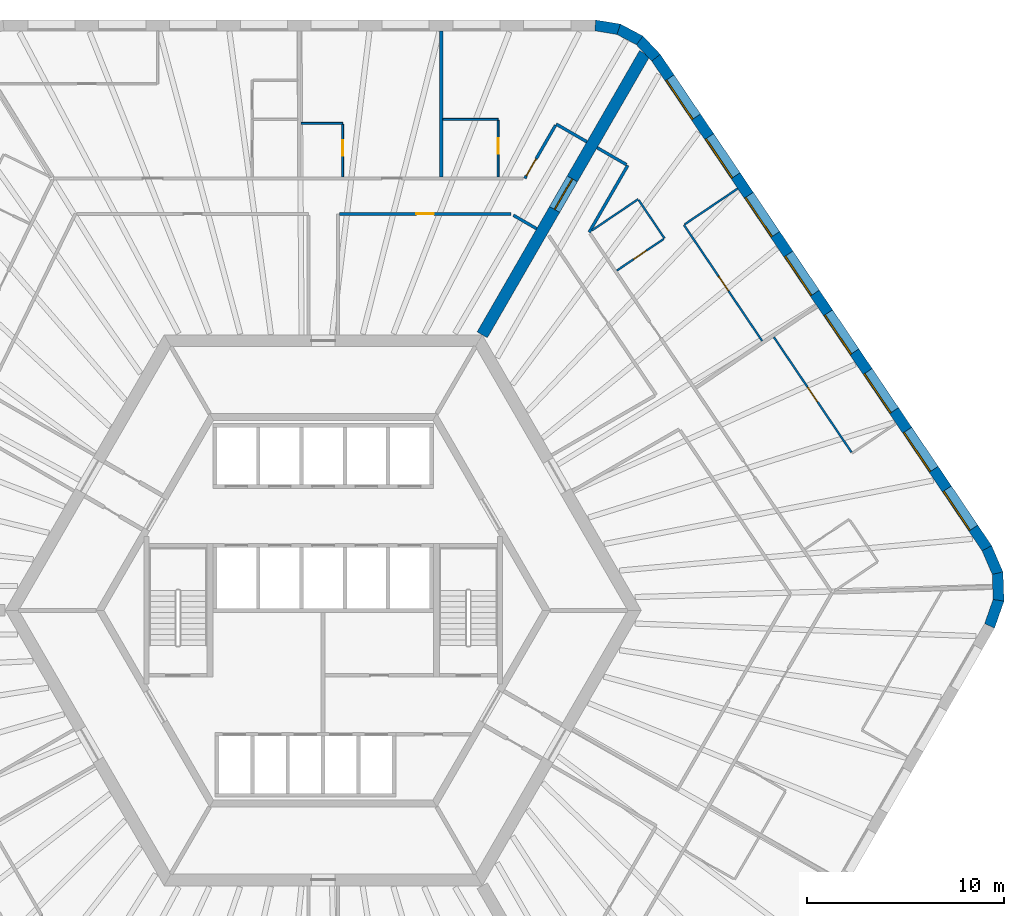
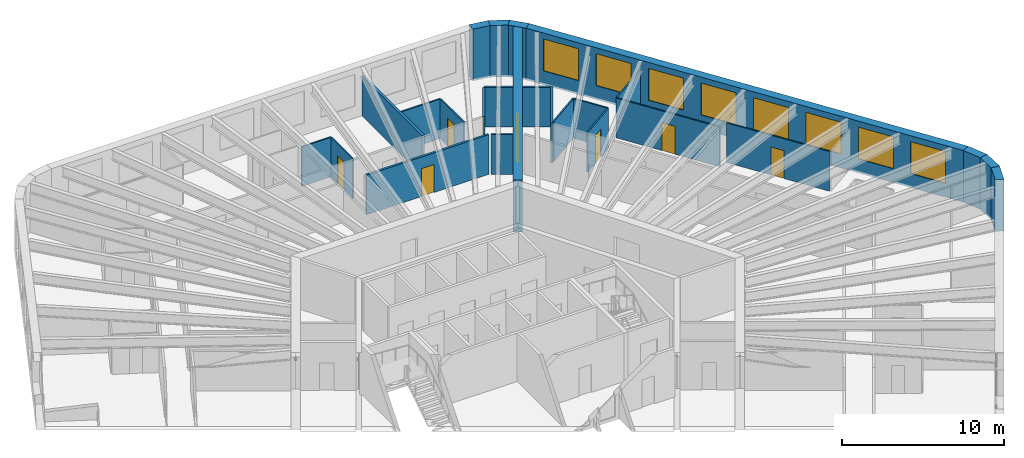
# One storey, part 10 of 12: 25 walls, 8 doors, 8 windows, 16 openings.
"""IFC4 building model written with IfcOpenShell, lengths in metres."""

from ifc_helpers import new_model, si_unit, direction, frame, frame_2d, origin, place, context, subcontext, project, spatial, polyline, rectangle, outline, extrude, material, layer, layer_set, type_object, element, fill, save


model = new_model("IFC4")

# Units and contexts
model_context = context("Model", 3, precision=1e-05, world=origin(), true_north=direction((0.0, 1.0)))
body_context = subcontext(model_context, "Body", "Model", "MODEL_VIEW")
ifc_project = project(units=[si_unit("LENGTHUNIT", "METRE"), si_unit("AREAUNIT", "SQUARE_METRE"), si_unit("VOLUMEUNIT", "CUBIC_METRE"), si_unit("PLANEANGLEUNIT", "RADIAN"), si_unit("MASSUNIT", "GRAM", prefix="KILO")], contexts=[model_context])

# Site, building, storey
site_placement = place(None, origin())
site = spatial("IfcSite", under=ifc_project, at=site_placement, CompositionType="ELEMENT")
building_placement = place(site_placement, origin())
building = spatial("IfcBuilding", under=site, at=building_placement, Name="Tarnside Tower", CompositionType="ELEMENT")
storey_placement = place(building_placement, frame((0.0, 0.0, 115.5)))
storey = spatial("IfcBuildingStorey", under=building, at=storey_placement, Name="L26", CompositionType="ELEMENT", Elevation=115.5)

# Wall
ifc_material_1 = material(Name="Gypsum board partition on steel studs", Category="steel")
ifc_layer_1 = layer(ifc_material_1, 0.10009765625)
ifc_layer_set_1 = layer_set([ifc_layer_1], Name="Bathroom wall 100")
wall_type_1 = type_object("IfcWallType", Name="Bathroom wall 100", PredefinedType="PARTITIONING", material=ifc_layer_set_1)
wall_1_placement = place(storey_placement, frame((6.078857421875, 24.949951171875, 0.0), z_axis=(0.0, 0.0, 1.0), x_axis=(1.0, 0.0, 0.0)))
element("IfcWall", 1, at=wall_1_placement, inside=storey, type_object=wall_type_1, Name="Bathroom wall 08071", PredefinedType="PARTITIONING", context=body_context, shape_type="SweptSolid", body=[
    extrude(rectangle(XDim=2.81005859375, YDim=0.10009765625, at=frame_2d((1.405029296875, 0.0))), origin(), (0.0, 0.0, 1.0), 2.98779296875),
])

# Wall, opening, door
wall_2_placement = place(storey_placement, frame((8.888916015625, 24.89990234375, 0.0), z_axis=(0.0, 0.0, 1.0), x_axis=(0.0, -1.0, 0.0)))
wall_2 = element("IfcWall", 2, at=wall_2_placement, inside=storey, type_object=wall_type_1, Name="Bathroom wall 08072", PredefinedType="PARTITIONING", context=body_context, shape_type="SweptSolid", body=[
    extrude(rectangle(XDim=2.875, YDim=0.10009765625, at=frame_2d((1.4375, 0.0))), origin(), (0.0, 0.0, 1.0), 2.98779296875),
])
opening_1_placement = place(wall_2_placement, frame((0.89990234375, 0.0, 0.0)))
opening_1 = element("IfcOpeningElement", 3, at=opening_1_placement, cuts=wall_2, Name="Opening D-B1", PredefinedType="OPENING", context=body_context, shape_type="SweptSolid", body=[
    extrude(rectangle(XDim=0.800048828125, YDim=2.10009765625, at=frame_2d((0.39990234375, 1.050048828125))), frame((0.0, 0.06005859375, 0.0), z_axis=(0.0, -1.0, 0.0), x_axis=(1.0, 0.0, 0.0)), (0.0, 0.0, 1.0), 0.1201171875),
])
ifc_material_2 = material(Name="Timber door leaf", Category="wood")
door_type_1 = type_object("IfcDoorType", Name="Bathroom door 800", OperationType="NOTDEFINED", PredefinedType="DOOR", material=ifc_material_2)
door_1_placement = place(opening_1_placement, origin())
door_1 = element("IfcDoor", 4, at=door_1_placement, inside=storey, type_object=door_type_1, Name="Bathroom door 08002", OperationType="SINGLE_SWING_RIGHT", OverallHeight=2.10009765625, OverallWidth=0.800048828125, PredefinedType="DOOR", context=body_context, shape_type="SweptSolid", body=[
    extrude(rectangle(XDim=0.800048828125, YDim=2.10009765625, at=frame_2d((0.39990234375, 1.050048828125))), frame((0.0, 0.02490234375, 0.0), z_axis=(0.0, -1.0, 0.0), x_axis=(1.0, 0.0, 0.0)), (0.0, 0.0, 1.0), 0.050048828125),
])
fill(opening_1, door_1)

# Wall
wall_3_placement = place(storey_placement, frame((-1.12109375, 24.75, 0.0), z_axis=(0.0, 0.0, 1.0), x_axis=(1.0, 0.0, 0.0)))
element("IfcWall", 5, at=wall_3_placement, inside=storey, type_object=wall_type_1, Name="Bathroom wall 08075", PredefinedType="PARTITIONING", context=body_context, shape_type="SweptSolid", body=[
    extrude(rectangle(XDim=2.110107421875, YDim=0.10009765625, at=frame_2d((1.05517578125, 0.0))), origin(), (0.0, 0.0, 1.0), 2.98779296875),
])

# Wall, opening, door
wall_4_placement = place(storey_placement, frame((0.989013671875, 24.699951171875, 0.0), z_axis=(0.0, 0.0, 1.0), x_axis=(0.0, -1.0, 0.0)))
wall_4 = element("IfcWall", 6, at=wall_4_placement, inside=storey, type_object=wall_type_1, Name="Bathroom wall 08076", PredefinedType="PARTITIONING", context=body_context, shape_type="SweptSolid", body=[
    extrude(rectangle(XDim=2.675048828125, YDim=0.10009765625, at=frame_2d((1.33740234375, 0.0))), origin(), (0.0, 0.0, 1.0), 2.98779296875),
])
opening_2_placement = place(wall_4_placement, frame((0.81005859375, 0.0, 0.0)))
opening_2 = element("IfcOpeningElement", 7, at=opening_2_placement, cuts=wall_4, Name="Opening D-B1", PredefinedType="OPENING", context=body_context, shape_type="SweptSolid", body=[
    extrude(rectangle(XDim=0.800048828125, YDim=2.10009765625, at=frame_2d((0.39990234375, 1.050048828125))), frame((0.0, 0.06005859375, 0.0), z_axis=(0.0, -1.0, 0.0), x_axis=(1.0, 0.0, 0.0)), (0.0, 0.0, 1.0), 0.1201171875),
])
door_2_placement = place(opening_2_placement, origin())
door_2 = element("IfcDoor", 8, at=door_2_placement, inside=storey, type_object=door_type_1, Name="Bathroom door 08004", OperationType="SINGLE_SWING_RIGHT", OverallHeight=2.10009765625, OverallWidth=0.800048828125, PredefinedType="DOOR", context=body_context, shape_type="SweptSolid", body=[
    extrude(rectangle(XDim=0.800048828125, YDim=2.10009765625, at=frame_2d((0.39990234375, 1.050048828125))), frame((0.0, 0.02490234375, 0.0), z_axis=(0.0, -1.0, 0.0), x_axis=(1.0, 0.0, 0.0)), (0.0, 0.0, 1.0), 0.050048828125),
])
fill(opening_2, door_2)

# Walls
wall_5_placement = place(storey_placement, frame((13.6591796875, 19.308349609375, 0.0), z_axis=(0.0, 0.0, 1.0), x_axis=(0.829010718334, 0.559232714429, 0.0)))
element("IfcWall", 9, at=wall_5_placement, inside=storey, type_object=wall_type_1, Name="Bathroom wall 08145", PredefinedType="PARTITIONING", context=body_context, shape_type="SweptSolid", body=[
    extrude(rectangle(XDim=2.828857421875, YDim=0.10009765625, at=frame_2d((1.41455078125, 0.0))), origin(), (0.0, 0.0, 1.0), 2.98779296875),
])
wall_6_placement = place(storey_placement, frame((16.032470703125, 20.848876953125, 0.0), z_axis=(0.0, 0.0, 1.0), x_axis=(0.559151632687, -0.829065408555, 0.0)))
element("IfcWall", 10, at=wall_6_placement, inside=storey, type_object=wall_type_1, Name="Bathroom wall 08146", PredefinedType="PARTITIONING", context=body_context, shape_type="SweptSolid", body=[
    extrude(rectangle(XDim=2.349853515625, YDim=0.10009765625, at=frame_2d((1.1748046875, 0.0))), origin(), (0.0, 0.0, 1.0), 2.98779296875),
])

# Wall, opening, door
wall_7_placement = place(storey_placement, frame((17.30517578125, 18.87255859375, 0.0), z_axis=(0.0, 0.0, 1.0), x_axis=(-0.82904649496, -0.559179675234, 0.0)))
wall_7 = element("IfcWall", 11, at=wall_7_placement, inside=storey, type_object=wall_type_1, Name="Bathroom wall 08147", PredefinedType="PARTITIONING", context=body_context, shape_type="SweptSolid", body=[
    extrude(rectangle(XDim=2.875, YDim=0.10009765625, at=frame_2d((1.4375, 0.0))), origin(), (0.0, 0.0, 1.0), 2.98779296875),
])
opening_3_placement = place(wall_7_placement, frame((1.050048828125, 0.0, 0.0)))
opening_3 = element("IfcOpeningElement", 12, at=opening_3_placement, cuts=wall_7, Name="Opening D-B1", PredefinedType="OPENING", context=body_context, shape_type="SweptSolid", body=[
    extrude(rectangle(XDim=0.800048828125, YDim=2.10009765625, at=frame_2d((0.39990234375, 1.050048828125))), frame((0.0, 0.06005859375, 0.0), z_axis=(0.0, -1.0, 0.0), x_axis=(1.0, 0.0, 0.0)), (0.0, 0.0, 1.0), 0.1201171875),
])
door_3_placement = place(opening_3_placement, origin())
door_3 = element("IfcDoor", 13, at=door_3_placement, inside=storey, type_object=door_type_1, Name="Bathroom door 08038", OperationType="SINGLE_SWING_LEFT", OverallHeight=2.10009765625, OverallWidth=0.800048828125, PredefinedType="DOOR", context=body_context, shape_type="SweptSolid", body=[
    extrude(rectangle(XDim=0.800048828125, YDim=2.10009765625, at=frame_2d((0.39990234375, 1.050048828125))), frame((0.0, 0.02490234375, 0.0), z_axis=(0.0, -1.0, 0.0), x_axis=(1.0, 0.0, 0.0)), (0.0, 0.0, 1.0), 0.050048828125),
])
fill(opening_3, door_3)

ifc_material_3 = material(Name="Concrete C80/95", Category="concrete")
ifc_layer_2 = layer(ifc_material_3, 0.60009765625)
ifc_layer_set_2 = layer_set([ifc_layer_2], Name="Core wall Z1 600 C80/95")
wall_type_2 = type_object("IfcWallType", Name="Core wall Z1 600 C80/95", PredefinedType="SHEAR", material=ifc_layer_set_2)
wall_8_placement = place(storey_placement, frame((8.0830078125, 14.0, -0.14990234375), z_axis=(0.0, 0.0, 1.0), x_axis=(0.499997680643, 0.866026742862, 0.0)))
wall_8 = element("IfcWall", 14, at=wall_8_placement, inside=storey, type_object=wall_type_2, Name="L26 spine wall 1", PredefinedType="SHEAR", context=body_context, shape_type="SweptSolid", body=[
    extrude(rectangle(XDim=16.5087890625, YDim=0.60009765625, at=frame_2d((8.25439453125, 0.0))), origin(), (0.0, 0.0, 1.0), 3.89990234375),
])
opening_4_placement = place(wall_8_placement, frame((7.3544921875, 0.0, 0.14990234375)))
opening_4 = element("IfcOpeningElement", 15, at=opening_4_placement, cuts=wall_8, Name="Opening CD-SPN", PredefinedType="OPENING", context=body_context, shape_type="SweptSolid", body=[
    extrude(rectangle(XDim=1.800048828125, YDim=2.39990234375, at=frame_2d((0.89990234375, 1.199951171875))), frame((0.0, 0.31005859375, 0.0), z_axis=(0.0, -1.0, 0.0), x_axis=(1.0, 0.0, 0.0)), (0.0, 0.0, 1.0), 0.6201171875),
])
ifc_material_4 = material(Name="Steel fire door", Category="steel")
door_type_2 = type_object("IfcDoorType", Name="Spine passage double door FD60 1800x2400", OperationType="NOTDEFINED", PredefinedType="DOOR", material=ifc_material_4)
door_4_placement = place(opening_4_placement, origin())
door_4 = element("IfcDoor", 16, at=door_4_placement, inside=storey, type_object=door_type_2, Name="L26 spine passage door 1", OperationType="DOUBLE_DOOR_SINGLE_SWING", OverallHeight=2.39990234375, OverallWidth=1.800048828125, PredefinedType="DOOR", context=body_context, shape_type="SweptSolid", body=[
    extrude(rectangle(XDim=1.800048828125, YDim=2.39990234375, at=frame_2d((0.89990234375, 1.199951171875))), frame((0.0, 0.02490234375, 0.0), z_axis=(0.0, -1.0, 0.0), x_axis=(1.0, 0.0, 0.0)), (0.0, 0.0, 1.0), 0.050048828125),
])
fill(opening_4, door_4)

# Wall
ifc_layer_3 = layer(ifc_material_1, 0.14990234375)
ifc_layer_set_3 = layer_set([ifc_layer_3], Name="Corridor wall 150 EI 60")
wall_type_3 = type_object("IfcWallType", Name="Corridor wall 150 EI 60", PredefinedType="PARTITIONING", material=ifc_layer_set_3)
wall_9_placement = place(storey_placement, frame((13.400390625, 23.81005859375, 0.0), z_axis=(0.0, 0.0, 1.0), x_axis=(-0.865989075817, 0.500062916607, 0.0)))
element("IfcWall", 17, at=wall_9_placement, inside=storey, type_object=wall_type_3, Name="Corridor wall 08001", PredefinedType="PARTITIONING", context=body_context, shape_type="SweptSolid", body=[
    extrude(rectangle(XDim=1.800048828125, YDim=0.14990234375, at=frame_2d((0.89990234375, 0.0))), origin(), (0.0, 0.0, 1.0), 2.98779296875),
])

# Wall, opening, door
wall_10_placement = place(storey_placement, frame((11.803955078125, 24.64501953125, 0.0), z_axis=(0.0, 0.0, 1.0), x_axis=(-0.499978251519, -0.866037959912, 0.0)))
wall_10 = element("IfcWall", 18, at=wall_10_placement, inside=storey, type_object=wall_type_3, Name="Corridor wall 08002", PredefinedType="PARTITIONING", context=body_context, shape_type="SweptSolid", body=[
    extrude(rectangle(XDim=3.112060546875, YDim=0.14990234375, at=frame_2d((1.55615234375, 0.0))), origin(), (0.0, 0.0, 1.0), 2.98779296875),
])
opening_5_placement = place(wall_10_placement, frame((1.962158203125, 0.0, 0.0)))
opening_5 = element("IfcOpeningElement", 19, at=opening_5_placement, cuts=wall_10, Name="Opening D-E1", PredefinedType="OPENING", context=body_context, shape_type="SweptSolid", body=[
    extrude(rectangle(XDim=1.0, YDim=2.10009765625, at=frame_2d((0.5, 1.050048828125))), frame((0.0, 0.0849609375, 0.0), z_axis=(0.0, -1.0, 0.0), x_axis=(1.0, 0.0, 0.0)), (0.0, 0.0, 1.0), 0.169921875),
])
door_type_3 = type_object("IfcDoorType", Name="Unit entrance door 1000 FD30S", OperationType="NOTDEFINED", PredefinedType="DOOR", material=ifc_material_2)
door_5_placement = place(opening_5_placement, origin())
door_5 = element("IfcDoor", 20, at=door_5_placement, inside=storey, type_object=door_type_3, Name="Unit door 08001", OperationType="SINGLE_SWING_LEFT", OverallHeight=2.10009765625, OverallWidth=1.0, PredefinedType="DOOR", context=body_context, shape_type="SweptSolid", body=[
    extrude(rectangle(XDim=1.0, YDim=2.10009765625, at=frame_2d((0.5, 1.050048828125))), frame((0.0, 0.02490234375, 0.0), z_axis=(0.0, -1.0, 0.0), x_axis=(1.0, 0.0, 0.0)), (0.0, 0.0, 1.0), 0.050048828125),
])
fill(opening_5, door_5)

wall_11_placement = place(storey_placement, frame((0.824951171875, 20.14990234375, 0.0), z_axis=(0.0, 0.0, 1.0), x_axis=(1.0, 0.0, 0.0)))
wall_11 = element("IfcWall", 21, at=wall_11_placement, inside=storey, type_object=wall_type_3, Name="Corridor wall 08021", PredefinedType="PARTITIONING", context=body_context, shape_type="SweptSolid", body=[
    extrude(rectangle(XDim=8.712158203125, YDim=0.14990234375, at=frame_2d((4.35595703125, 0.0))), origin(), (0.0, 0.0, 1.0), 2.98779296875),
])
opening_6_placement = place(wall_11_placement, frame((3.906005859375, 0.0, 0.0)))
opening_6 = element("IfcOpeningElement", 22, at=opening_6_placement, cuts=wall_11, Name="Opening D-S1", PredefinedType="OPENING", context=body_context, shape_type="SweptSolid", body=[
    extrude(rectangle(XDim=0.89990234375, YDim=2.10009765625, at=frame_2d((0.449951171875, 1.050048828125))), frame((0.0, 0.0849609375, 0.0), z_axis=(0.0, -1.0, 0.0), x_axis=(1.0, 0.0, 0.0)), (0.0, 0.0, 1.0), 0.169921875),
])
door_type_4 = type_object("IfcDoorType", Name="Service room door 900 FD30S", OperationType="NOTDEFINED", PredefinedType="DOOR", material=ifc_material_2)
door_6_placement = place(opening_6_placement, origin())
door_6 = element("IfcDoor", 23, at=door_6_placement, inside=storey, type_object=door_type_4, Name="Service door 08041", OperationType="SINGLE_SWING_RIGHT", OverallHeight=2.10009765625, OverallWidth=0.89990234375, PredefinedType="DOOR", context=body_context, shape_type="SweptSolid", body=[
    extrude(rectangle(XDim=0.89990234375, YDim=2.10009765625, at=frame_2d((0.449951171875, 1.050048828125))), frame((0.0, 0.02490234375, 0.0), z_axis=(0.0, -1.0, 0.0), x_axis=(1.0, 0.0, 0.0)), (0.0, 0.0, 1.0), 0.050048828125),
])
fill(opening_6, door_6)

# Walls
wall_12_placement = place(storey_placement, frame((9.6669921875, 20.074951171875, 0.0), z_axis=(0.0, 0.0, 1.0), x_axis=(0.866000994684, -0.500042275419, 0.0)))
element("IfcWall", 24, at=wall_12_placement, inside=storey, type_object=wall_type_3, Name="Corridor wall 08022", PredefinedType="PARTITIONING", context=body_context, shape_type="SweptSolid", body=[
    extrude(rectangle(XDim=1.36572265625, YDim=0.14990234375, at=frame_2d((0.682861328125, 0.0))), origin(), (0.0, 0.0, 1.0), 2.98779296875),
])
wall_13_placement = place(storey_placement, frame((13.517333984375, 19.212646484375, 0.0), z_axis=(0.0, 0.0, 1.0), x_axis=(0.499981033738, 0.866036353684, 0.0)))
element("IfcWall", 25, at=wall_13_placement, inside=storey, type_object=wall_type_3, Name="Corridor wall 08058", PredefinedType="PARTITIONING", context=body_context, shape_type="SweptSolid", body=[
    extrude(rectangle(XDim=3.923095703125, YDim=0.14990234375, at=frame_2d((1.96142578125, 0.0))), origin(), (0.0, 0.0, 1.0), 2.98779296875),
])
wall_14_placement = place(storey_placement, frame((15.413818359375, 22.647705078125, 0.0), z_axis=(0.0, 0.0, 1.0), x_axis=(-0.866074815912, 0.499914405916, 0.0)))
element("IfcWall", 26, at=wall_14_placement, inside=storey, type_object=wall_type_3, Name="Corridor wall 08059", PredefinedType="PARTITIONING", context=body_context, shape_type="SweptSolid", body=[
    extrude(rectangle(XDim=1.724853515625, YDim=0.14990234375, at=frame_2d((0.8623046875, 0.0))), origin(), (0.0, 0.0, 1.0), 2.98779296875),
])
ifc_layer_4 = layer(ifc_material_1, 0.179931640625)
ifc_layer_set_4 = layer_set([ifc_layer_4], Name="Demising wall 180 EI 60")
wall_type_4 = type_object("IfcWallType", Name="Demising wall 180 EI 60", PredefinedType="PARTITIONING", material=ifc_layer_set_4)
wall_15_placement = place(storey_placement, frame((5.989013671875, 29.449951171875, 0.0), z_axis=(0.0, 0.0, 1.0), x_axis=(0.0, -1.0, 0.0)))
element("IfcWall", 27, at=wall_15_placement, inside=storey, type_object=wall_type_4, Name="Demising wall 08073", PredefinedType="PARTITIONING", context=body_context, shape_type="SweptSolid", body=[
    extrude(rectangle(XDim=7.425048828125, YDim=0.179931640625, at=frame_2d((3.71240234375, 0.0))), origin(), (0.0, 0.0, 1.0), 2.98779296875),
])

# Wall, opening, door
ifc_layer_5 = layer(ifc_material_1, 0.10009765625)
ifc_layer_set_5 = layer_set([ifc_layer_5], Name="Partition 100")
wall_type_5 = type_object("IfcWallType", Name="Partition 100", PredefinedType="PARTITIONING", material=ifc_layer_set_5)
wall_16_placement = place(storey_placement, frame((26.852294921875, 8.02685546875, 0.0), z_axis=(0.0, 0.0, 1.0), x_axis=(-0.559216845309, 0.829021423078, 0.0)))
wall_16 = element("IfcWall", 28, at=wall_16_placement, inside=storey, type_object=wall_type_5, Name="Partition wall 08141", PredefinedType="PARTITIONING", context=body_context, shape_type="SweptSolid", body=[
    extrude(rectangle(XDim=7.059814453125, YDim=0.10009765625, at=frame_2d((3.52978515625, 0.0))), origin(), (0.0, 0.0, 1.0), 2.98779296875),
])
opening_7_placement = place(wall_16_placement, frame((3.10009765625, 0.0, 0.0)))
opening_7 = element("IfcOpeningElement", 29, at=opening_7_placement, cuts=wall_16, Name="Opening D-I1", PredefinedType="OPENING", context=body_context, shape_type="SweptSolid", body=[
    extrude(rectangle(XDim=0.89990234375, YDim=2.10009765625, at=frame_2d((0.449951171875, 1.050048828125))), frame((0.0, 0.06005859375, 0.0), z_axis=(0.0, -1.0, 0.0), x_axis=(1.0, 0.0, 0.0)), (0.0, 0.0, 1.0), 0.1201171875),
])
door_type_5 = type_object("IfcDoorType", Name="Internal door 900", OperationType="NOTDEFINED", PredefinedType="DOOR", material=ifc_material_2)
door_7_placement = place(opening_7_placement, origin())
door_7 = element("IfcDoor", 30, at=door_7_placement, inside=storey, type_object=door_type_5, Name="Internal door 08036", OperationType="SINGLE_SWING_RIGHT", OverallHeight=2.10009765625, OverallWidth=0.89990234375, PredefinedType="DOOR", context=body_context, shape_type="SweptSolid", body=[
    extrude(rectangle(XDim=0.89990234375, YDim=2.10009765625, at=frame_2d((0.449951171875, 1.050048828125))), frame((0.0, 0.02490234375, 0.0), z_axis=(0.0, -1.0, 0.0), x_axis=(1.0, 0.0, 0.0)), (0.0, 0.0, 1.0), 0.050048828125),
])
fill(opening_7, door_7)

wall_17_placement = place(storey_placement, frame((22.30615234375, 13.693359375, 0.0), z_axis=(0.0, 0.0, 1.0), x_axis=(-0.559185029686, 0.829042883435, 0.0)))
wall_17 = element("IfcWall", 31, at=wall_17_placement, inside=storey, type_object=wall_type_5, Name="Partition wall 08148", PredefinedType="PARTITIONING", context=body_context, shape_type="SweptSolid", body=[
    extrude(rectangle(XDim=7.110107421875, YDim=0.10009765625, at=frame_2d((3.55517578125, 0.0))), origin(), (0.0, 0.0, 1.0), 2.98779296875),
])
opening_8_placement = place(wall_17_placement, frame((3.06005859375, 0.0, 0.0)))
opening_8 = element("IfcOpeningElement", 32, at=opening_8_placement, cuts=wall_17, Name="Opening D-I1", PredefinedType="OPENING", context=body_context, shape_type="SweptSolid", body=[
    extrude(rectangle(XDim=0.89990234375, YDim=2.10009765625, at=frame_2d((0.449951171875, 1.050048828125))), frame((0.0, 0.06005859375, 0.0), z_axis=(0.0, -1.0, 0.0), x_axis=(1.0, 0.0, 0.0)), (0.0, 0.0, 1.0), 0.1201171875),
])
door_8_placement = place(opening_8_placement, origin())
door_8 = element("IfcDoor", 33, at=door_8_placement, inside=storey, type_object=door_type_5, Name="Internal door 08039", OperationType="SINGLE_SWING_RIGHT", OverallHeight=2.10009765625, OverallWidth=0.89990234375, PredefinedType="DOOR", context=body_context, shape_type="SweptSolid", body=[
    extrude(rectangle(XDim=0.89990234375, YDim=2.10009765625, at=frame_2d((0.449951171875, 1.050048828125))), frame((0.0, 0.02490234375, 0.0), z_axis=(0.0, -1.0, 0.0), x_axis=(1.0, 0.0, 0.0)), (0.0, 0.0, 1.0), 0.050048828125),
])
fill(opening_8, door_8)

# Walls
wall_18_placement = place(storey_placement, frame((18.371826171875, 19.615966796875, 0.0), z_axis=(0.0, 0.0, 1.0), x_axis=(0.829033253898, 0.55919930609, 0.0)))
element("IfcWall", 34, at=wall_18_placement, inside=storey, type_object=wall_type_5, Name="Partition wall 08149", PredefinedType="PARTITIONING", context=body_context, shape_type="SweptSolid", body=[
    extrude(rectangle(XDim=3.25, YDim=0.10009765625, at=frame_2d((1.625, 0.0))), origin(), (0.0, 0.0, 1.0), 2.98779296875),
])
ifc_material_5 = material(Name="Facing brick", Category="masonry")
ifc_layer_6 = layer(ifc_material_5, 0.10205078125)
ifc_material_6 = material(Name="Concrete C60/75 precast", Category="concrete")
ifc_layer_7 = layer(ifc_material_6, 0.347900390625)
ifc_material_7 = material(Name="Mineral wool insulation")
ifc_layer_8 = layer(ifc_material_7, 0.10009765625)
ifc_layer_set_6 = layer_set([ifc_layer_6, ifc_layer_7, ifc_layer_8], Name="Tube wall 550 brick faced")
wall_type_6 = type_object("IfcWallType", Name="Tube wall 550 brick faced", PredefinedType="SOLIDWALL", material=ifc_layer_set_6)
wall_19_placement = place(storey_placement, frame((33.865966796875, -0.79248046875, -0.14990234375), z_axis=(0.0, 0.0, 1.0), x_axis=(0.33111537203, 0.943590276765, 0.0)))
element("IfcWall", 35, at=wall_19_placement, inside=storey, type_object=wall_type_6, Name="Tube wall L26 F5 chord 17", PredefinedType="SOLIDWALL", context=body_context, shape_type="SweptSolid", body=[
    extrude(outline(polyline([(-0.025634765625, -0.27490234375), (1.4306640625, -0.27490234375), (1.3271484375, 0.27490234375), (0.025634765625, 0.27490234375), (-0.025634765625, -0.27490234375)])), origin(), (0.0, 0.0, 1.0), 3.89990234375),
])
wall_20_placement = place(storey_placement, frame((34.322509765625, 0.508544921875, -0.14990234375), z_axis=(0.0, 0.0, 1.0), x_axis=(-0.034876908462, 0.999391615562, 0.0)))
element("IfcWall", 36, at=wall_20_placement, inside=storey, type_object=wall_type_6, Name="Tube wall L26 F5 chord 18", PredefinedType="SOLIDWALL", context=body_context, shape_type="SweptSolid", body=[
    extrude(outline(polyline([(-0.0517578125, -0.27490234375), (1.4306640625, -0.27490234375), (1.3271484375, 0.27490234375), (0.0517578125, 0.27490234375), (-0.0517578125, -0.27490234375)])), origin(), (0.0, 0.0, 1.0), 3.89990234375),
])
wall_21_placement = place(storey_placement, frame((34.2744140625, 1.88671875, -0.14990234375), z_axis=(0.0, 0.0, 1.0), x_axis=(-0.396161342798, 0.918180913803, 0.0)))
element("IfcWall", 37, at=wall_21_placement, inside=storey, type_object=wall_type_6, Name="Tube wall L26 F5 chord 19", PredefinedType="SOLIDWALL", context=body_context, shape_type="SweptSolid", body=[
    extrude(outline(polyline([(-0.0517578125, -0.27490234375), (1.40478515625, -0.27490234375), (1.353515625, 0.27490234375), (0.0517578125, 0.27490234375), (-0.0517578125, -0.27490234375)])), origin(), (0.0, 0.0, 1.0), 3.89990234375),
])

# Wall, openings, windows
wall_22_placement = place(storey_placement, frame((33.72802734375, 3.153076171875, -0.14990234375), z_axis=(0.0, 0.0, 1.0), x_axis=(-0.559192411416, 0.82903790445, 0.0)))
wall_22 = element("IfcWall", 38, at=wall_22_placement, inside=storey, type_object=wall_type_6, Name="Tube wall L26 F6 flush 20", PredefinedType="SOLIDWALL", context=body_context, shape_type="SweptSolid", body=[
    extrude(outline(polyline([(-0.025634765625, -0.27490234375), (30.09326171875, -0.27490234375), (30.04833984375, 0.27490234375), (0.025634765625, 0.27490234375), (-0.025634765625, -0.27490234375)])), origin(), (0.0, 0.0, 1.0), 3.89990234375),
])
opening_9_placement = place(wall_22_placement, frame((1.235595703125, 0.0, 1.050048828125)))
opening_9 = element("IfcOpeningElement", 39, at=opening_9_placement, cuts=wall_22, Name="Opening WH", PredefinedType="OPENING", context=body_context, shape_type="SweptSolid", body=[
    extrude(rectangle(XDim=2.39990234375, YDim=2.39990234375, at=frame_2d((1.199951171875, 1.199951171875))), frame((0.0, 0.28515625, 0.0), z_axis=(0.0, -1.0, 0.0), x_axis=(1.0, 0.0, 0.0)), (0.0, 0.0, 1.0), 0.570068359375),
])
opening_10_placement = place(wall_22_placement, frame((4.83544921875, 0.0, 1.050048828125)))
opening_10 = element("IfcOpeningElement", 40, at=opening_10_placement, cuts=wall_22, Name="Opening WH", PredefinedType="OPENING", context=body_context, shape_type="SweptSolid", body=[
    extrude(rectangle(XDim=2.39990234375, YDim=2.39990234375, at=frame_2d((1.199951171875, 1.199951171875))), frame((0.0, 0.28515625, 0.0), z_axis=(0.0, -1.0, 0.0), x_axis=(1.0, 0.0, 0.0)), (0.0, 0.0, 1.0), 0.570068359375),
])
opening_11_placement = place(wall_22_placement, frame((8.435546875, 0.0, 1.050048828125)))
opening_11 = element("IfcOpeningElement", 41, at=opening_11_placement, cuts=wall_22, Name="Opening WH", PredefinedType="OPENING", context=body_context, shape_type="SweptSolid", body=[
    extrude(rectangle(XDim=2.39990234375, YDim=2.39990234375, at=frame_2d((1.199951171875, 1.199951171875))), frame((0.0, 0.28515625, 0.0), z_axis=(0.0, -1.0, 0.0), x_axis=(1.0, 0.0, 0.0)), (0.0, 0.0, 1.0), 0.570068359375),
])
opening_12_placement = place(wall_22_placement, frame((12.035400390625, 0.0, 1.050048828125)))
opening_12 = element("IfcOpeningElement", 42, at=opening_12_placement, cuts=wall_22, Name="Opening WH", PredefinedType="OPENING", context=body_context, shape_type="SweptSolid", body=[
    extrude(rectangle(XDim=2.39990234375, YDim=2.39990234375, at=frame_2d((1.199951171875, 1.199951171875))), frame((0.0, 0.28515625, 0.0), z_axis=(0.0, -1.0, 0.0), x_axis=(1.0, 0.0, 0.0)), (0.0, 0.0, 1.0), 0.570068359375),
])
opening_13_placement = place(wall_22_placement, frame((15.635498046875, 0.0, 1.050048828125)))
opening_13 = element("IfcOpeningElement", 43, at=opening_13_placement, cuts=wall_22, Name="Opening WH", PredefinedType="OPENING", context=body_context, shape_type="SweptSolid", body=[
    extrude(rectangle(XDim=2.39990234375, YDim=2.39990234375, at=frame_2d((1.199951171875, 1.199951171875))), frame((0.0, 0.28515625, 0.0), z_axis=(0.0, -1.0, 0.0), x_axis=(1.0, 0.0, 0.0)), (0.0, 0.0, 1.0), 0.570068359375),
])
opening_14_placement = place(wall_22_placement, frame((19.235595703125, 0.0, 1.050048828125)))
opening_14 = element("IfcOpeningElement", 44, at=opening_14_placement, cuts=wall_22, Name="Opening WH", PredefinedType="OPENING", context=body_context, shape_type="SweptSolid", body=[
    extrude(rectangle(XDim=2.39990234375, YDim=2.39990234375, at=frame_2d((1.199951171875, 1.199951171875))), frame((0.0, 0.28515625, 0.0), z_axis=(0.0, -1.0, 0.0), x_axis=(1.0, 0.0, 0.0)), (0.0, 0.0, 1.0), 0.570068359375),
])
opening_15_placement = place(wall_22_placement, frame((22.83544921875, 0.0, 1.050048828125)))
opening_15 = element("IfcOpeningElement", 45, at=opening_15_placement, cuts=wall_22, Name="Opening WH", PredefinedType="OPENING", context=body_context, shape_type="SweptSolid", body=[
    extrude(rectangle(XDim=2.39990234375, YDim=2.39990234375, at=frame_2d((1.199951171875, 1.199951171875))), frame((0.0, 0.28515625, 0.0), z_axis=(0.0, -1.0, 0.0), x_axis=(1.0, 0.0, 0.0)), (0.0, 0.0, 1.0), 0.570068359375),
])
opening_16_placement = place(wall_22_placement, frame((26.435546875, 0.0, 1.050048828125)))
opening_16 = element("IfcOpeningElement", 46, at=opening_16_placement, cuts=wall_22, Name="Opening WH", PredefinedType="OPENING", context=body_context, shape_type="SweptSolid", body=[
    extrude(rectangle(XDim=2.39990234375, YDim=2.39990234375, at=frame_2d((1.199951171875, 1.199951171875))), frame((0.0, 0.28515625, 0.0), z_axis=(0.0, -1.0, 0.0), x_axis=(1.0, 0.0, 0.0)), (0.0, 0.0, 1.0), 0.570068359375),
])
ifc_material_8 = material(Name="Aluminium-framed double glazing", Category="aluminium")
window_type = type_object("IfcWindowType", Name="Hotel window 2400 x 2400", PartitioningType="DOUBLE_PANEL_VERTICAL", PredefinedType="WINDOW", material=ifc_material_8)
window_1_placement = place(opening_9_placement, frame((0.0, 0.205078125, 0.0)))
window_1 = element("IfcWindow", 47, at=window_1_placement, inside=storey, type_object=window_type, Name="E.WN.L26.F6.00", OverallHeight=2.39990234375, OverallWidth=2.39990234375, PartitioningType="DOUBLE_PANEL_VERTICAL", PredefinedType="WINDOW", context=body_context, shape_type="SweptSolid", body=[
    extrude(rectangle(XDim=2.39990234375, YDim=2.39990234375, at=frame_2d((1.199951171875, 1.199951171875))), frame((0.0, 0.030029296875, 0.0), z_axis=(0.0, -1.0, 0.0), x_axis=(1.0, 0.0, 0.0)), (0.0, 0.0, 1.0), 0.06005859375),
])
fill(opening_9, window_1)
window_2_placement = place(opening_10_placement, frame((0.0, 0.205078125, 0.0)))
window_2 = element("IfcWindow", 48, at=window_2_placement, inside=storey, type_object=window_type, Name="E.WN.L26.F6.01", OverallHeight=2.39990234375, OverallWidth=2.39990234375, PartitioningType="DOUBLE_PANEL_VERTICAL", PredefinedType="WINDOW", context=body_context, shape_type="SweptSolid", body=[
    extrude(rectangle(XDim=2.39990234375, YDim=2.39990234375, at=frame_2d((1.199951171875, 1.199951171875))), frame((0.0, 0.030029296875, 0.0), z_axis=(0.0, -1.0, 0.0), x_axis=(1.0, 0.0, 0.0)), (0.0, 0.0, 1.0), 0.06005859375),
])
fill(opening_10, window_2)
window_3_placement = place(opening_11_placement, frame((0.0, 0.205078125, 0.0)))
window_3 = element("IfcWindow", 49, at=window_3_placement, inside=storey, type_object=window_type, Name="E.WN.L26.F6.02", OverallHeight=2.39990234375, OverallWidth=2.39990234375, PartitioningType="DOUBLE_PANEL_VERTICAL", PredefinedType="WINDOW", context=body_context, shape_type="SweptSolid", body=[
    extrude(rectangle(XDim=2.39990234375, YDim=2.39990234375, at=frame_2d((1.199951171875, 1.199951171875))), frame((0.0, 0.030029296875, 0.0), z_axis=(0.0, -1.0, 0.0), x_axis=(1.0, 0.0, 0.0)), (0.0, 0.0, 1.0), 0.06005859375),
])
fill(opening_11, window_3)
window_4_placement = place(opening_12_placement, frame((0.0, 0.205078125, 0.0)))
window_4 = element("IfcWindow", 50, at=window_4_placement, inside=storey, type_object=window_type, Name="E.WN.L26.F6.03", OverallHeight=2.39990234375, OverallWidth=2.39990234375, PartitioningType="DOUBLE_PANEL_VERTICAL", PredefinedType="WINDOW", context=body_context, shape_type="SweptSolid", body=[
    extrude(rectangle(XDim=2.39990234375, YDim=2.39990234375, at=frame_2d((1.199951171875, 1.199951171875))), frame((0.0, 0.030029296875, 0.0), z_axis=(0.0, -1.0, 0.0), x_axis=(1.0, 0.0, 0.0)), (0.0, 0.0, 1.0), 0.06005859375),
])
fill(opening_12, window_4)
window_5_placement = place(opening_13_placement, frame((0.0, 0.205078125, 0.0)))
window_5 = element("IfcWindow", 51, at=window_5_placement, inside=storey, type_object=window_type, Name="E.WN.L26.F6.04", OverallHeight=2.39990234375, OverallWidth=2.39990234375, PartitioningType="DOUBLE_PANEL_VERTICAL", PredefinedType="WINDOW", context=body_context, shape_type="SweptSolid", body=[
    extrude(rectangle(XDim=2.39990234375, YDim=2.39990234375, at=frame_2d((1.199951171875, 1.199951171875))), frame((0.0, 0.030029296875, 0.0), z_axis=(0.0, -1.0, 0.0), x_axis=(1.0, 0.0, 0.0)), (0.0, 0.0, 1.0), 0.06005859375),
])
fill(opening_13, window_5)
window_6_placement = place(opening_14_placement, frame((0.0, 0.205078125, 0.0)))
window_6 = element("IfcWindow", 52, at=window_6_placement, inside=storey, type_object=window_type, Name="E.WN.L26.F6.05", OverallHeight=2.39990234375, OverallWidth=2.39990234375, PartitioningType="DOUBLE_PANEL_VERTICAL", PredefinedType="WINDOW", context=body_context, shape_type="SweptSolid", body=[
    extrude(rectangle(XDim=2.39990234375, YDim=2.39990234375, at=frame_2d((1.199951171875, 1.199951171875))), frame((0.0, 0.030029296875, 0.0), z_axis=(0.0, -1.0, 0.0), x_axis=(1.0, 0.0, 0.0)), (0.0, 0.0, 1.0), 0.06005859375),
])
fill(opening_14, window_6)
window_7_placement = place(opening_15_placement, frame((0.0, 0.205078125, 0.0)))
window_7 = element("IfcWindow", 53, at=window_7_placement, inside=storey, type_object=window_type, Name="E.WN.L26.F6.06", OverallHeight=2.39990234375, OverallWidth=2.39990234375, PartitioningType="DOUBLE_PANEL_VERTICAL", PredefinedType="WINDOW", context=body_context, shape_type="SweptSolid", body=[
    extrude(rectangle(XDim=2.39990234375, YDim=2.39990234375, at=frame_2d((1.199951171875, 1.199951171875))), frame((0.0, 0.030029296875, 0.0), z_axis=(0.0, -1.0, 0.0), x_axis=(1.0, 0.0, 0.0)), (0.0, 0.0, 1.0), 0.06005859375),
])
fill(opening_15, window_7)
window_8_placement = place(opening_16_placement, frame((0.0, 0.205078125, 0.0)))
window_8 = element("IfcWindow", 54, at=window_8_placement, inside=storey, type_object=window_type, Name="E.WN.L26.F6.07", OverallHeight=2.39990234375, OverallWidth=2.39990234375, PartitioningType="DOUBLE_PANEL_VERTICAL", PredefinedType="WINDOW", context=body_context, shape_type="SweptSolid", body=[
    extrude(rectangle(XDim=2.39990234375, YDim=2.39990234375, at=frame_2d((1.199951171875, 1.199951171875))), frame((0.0, 0.030029296875, 0.0), z_axis=(0.0, -1.0, 0.0), x_axis=(1.0, 0.0, 0.0)), (0.0, 0.0, 1.0), 0.06005859375),
])
fill(opening_16, window_8)

# Walls
wall_23_placement = place(storey_placement, frame((16.91259765625, 28.0830078125, -0.14990234375), z_axis=(0.0, 0.0, 1.0), x_axis=(-0.686196220404, 0.727416488061, 0.0)))
element("IfcWall", 55, at=wall_23_placement, inside=storey, type_object=wall_type_6, Name="Tube wall L26 F6 chord 21", PredefinedType="SOLIDWALL", context=body_context, shape_type="SweptSolid", body=[
    extrude(outline(polyline([(-0.0224609375, -0.27490234375), (1.25341796875, -0.27490234375), (1.1630859375, 0.27490234375), (0.0224609375, 0.27490234375), (-0.0224609375, -0.27490234375)])), origin(), (0.0, 0.0, 1.0), 3.89990234375),
])
wall_24_placement = place(storey_placement, frame((16.08349609375, 28.9619140625, -0.14990234375), z_axis=(0.0, 0.0, 1.0), x_axis=(-0.882995347911, 0.469381737574, 0.0)))
element("IfcWall", 56, at=wall_24_placement, inside=storey, type_object=wall_type_6, Name="Tube wall L26 F6 chord 22", PredefinedType="SOLIDWALL", context=body_context, shape_type="SweptSolid", body=[
    extrude(outline(polyline([(-0.045166015625, -0.27490234375), (1.25341796875, -0.27490234375), (1.1630859375, 0.27490234375), (0.045166015625, 0.27490234375), (-0.045166015625, -0.27490234375)])), origin(), (0.0, 0.0, 1.0), 3.89990234375),
])
wall_25_placement = place(storey_placement, frame((15.0166015625, 29.529052734375, -0.14990234375), z_axis=(0.0, 0.0, 1.0), x_axis=(-0.986746625868, 0.162268593195, 0.0)))
element("IfcWall", 57, at=wall_25_placement, inside=storey, type_object=wall_type_6, Name="Tube wall L26 F6 chord 23", PredefinedType="SOLIDWALL", context=body_context, shape_type="SweptSolid", body=[
    extrude(outline(polyline([(-0.045166015625, -0.27490234375), (1.230712890625, -0.27490234375), (1.185791015625, 0.27490234375), (0.045166015625, 0.27490234375), (-0.045166015625, -0.27490234375)])), origin(), (0.0, 0.0, 1.0), 3.89990234375),
])

save(model, "model.ifc")
